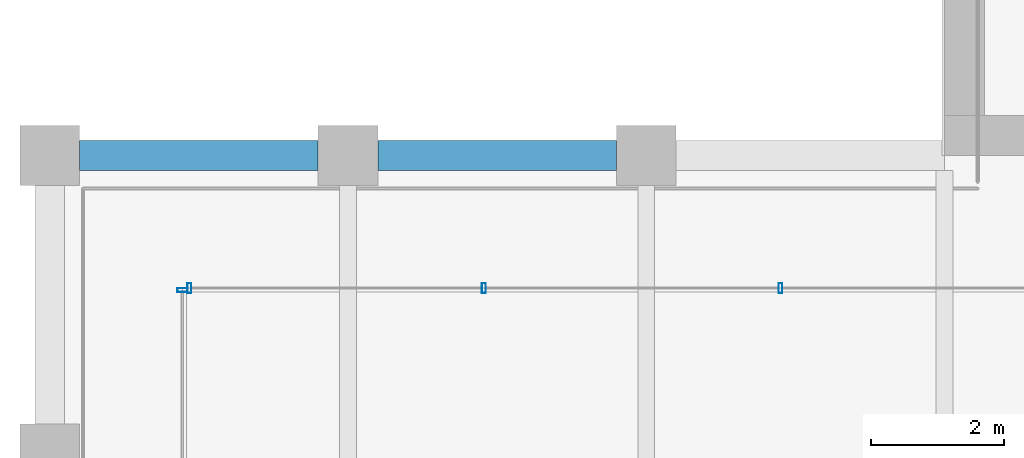
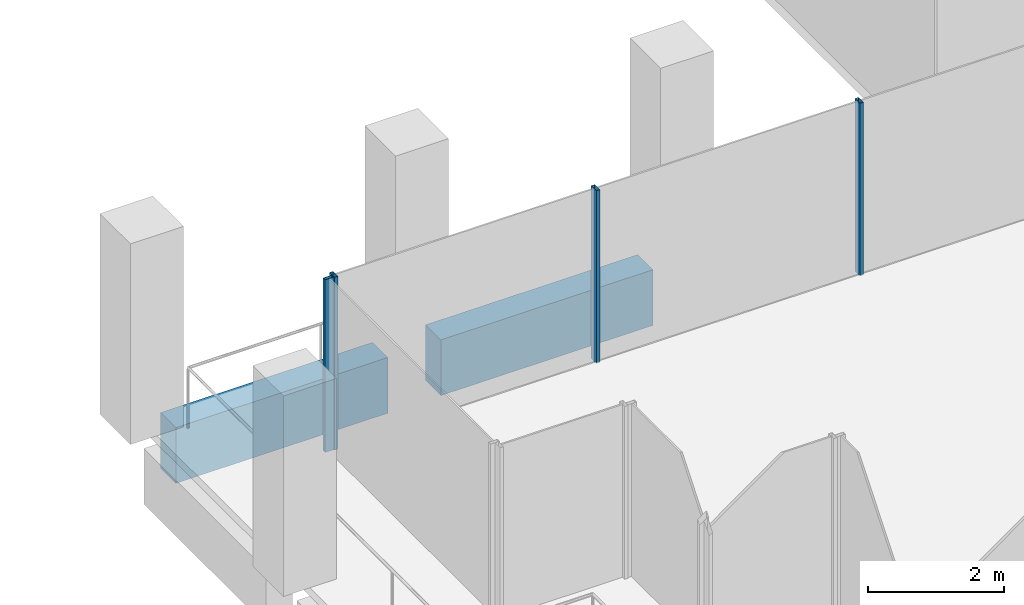
# One storey, part 5 of 40: 4 members, 2 beams, 2 elements without a shape of their own.
"""IFC4 building model written with IfcOpenShell, lengths in metres."""

from ifc_helpers import new_model, si_unit, direction, frame, origin, origin_2d, place, context, subcontext, project, spatial, rectangle, hollow_rectangle, extrude, material, material_profile, profile_set, type_object, element, aggregate, save


model = new_model("IFC4")

# Units and contexts
model_context = context("Model", 3, precision=1e-05, world=origin(), true_north=direction((0.0, 1.0)))
body_context = subcontext(model_context, "Body", "Model", "MODEL_VIEW")
ifc_project = project(units=[si_unit("LENGTHUNIT", "METRE"), si_unit("AREAUNIT", "SQUARE_METRE"), si_unit("VOLUMEUNIT", "CUBIC_METRE"), si_unit("PLANEANGLEUNIT", "RADIAN"), si_unit("MASSUNIT", "GRAM", prefix="KILO")], contexts=[model_context])

# Site, building, storey
site_placement = place(None, origin())
site = spatial("IfcSite", under=ifc_project, at=site_placement, CompositionType="ELEMENT")
building_placement = place(site_placement, origin())
building = spatial("IfcBuilding", under=site, at=building_placement, Name="Altepetl Exchange Towers", CompositionType="ELEMENT")
storey_placement = place(building_placement, frame((0.0, 0.0, 147.39990234375)))
storey = spatial("IfcBuildingStorey", under=building, at=storey_placement, Name="L36", CompositionType="ELEMENT", Elevation=147.39990234375)

# Curtain wall, members
ifc_material_1 = material(Name="Aluminium 6063-T6 glazing", Category="aluminium")
curtain_wall_type = type_object("IfcCurtainWallType", Name="Loggia glazing system", PredefinedType="NOTDEFINED", material=ifc_material_1)
curtain_wall_1_placement = place(storey_placement, origin())
curtain_wall_1 = element("IfcCurtainWall", 1, at=curtain_wall_1_placement, inside=storey, type_object=curtain_wall_type, Name="CW1 run", PredefinedType="NOTDEFINED")
ifc_material_2 = material(Name="Aluminium 6063-T6", Category="aluminium")
ifc_material_profile_1 = material_profile(ifc_material_2, hollow_rectangle(XDim=0.06005859375, YDim=0.14990234375, WallThickness=0.0029296875, at=origin_2d()), Name="Mullion 60x150 aluminium")
ifc_profile_set_1 = profile_set([ifc_material_profile_1], Name="Aluminium 6063-T6")
member_type = type_object("IfcMemberType", Name="Mullion 60x150 aluminium", PredefinedType="MULLION", material=ifc_profile_set_1)
member_1_placement = place(storey_placement, frame((38.02490234375, 38.5, 0.0), z_axis=(0.0, 0.0, 1.0), x_axis=(-1.0, 0.0, 0.0)))
member_1 = element("IfcMember", 2, at=member_1_placement, type_object=member_type, Name="MU1 mullion", PredefinedType="MULLION", context=body_context, shape_type="SweptSolid", body=[
    extrude(hollow_rectangle(XDim=0.06005859375, YDim=0.14990234375, WallThickness=0.0029296875, at=origin_2d()), origin(), (0.0, 0.0, 1.0), 3.10009765625),
])
member_2_placement = place(storey_placement, frame((33.550048828125, 38.5, 0.0), z_axis=(0.0, 0.0, 1.0), x_axis=(-1.0, 0.0, 0.0)))
member_2 = element("IfcMember", 3, at=member_2_placement, type_object=member_type, Name="MU1 mullion", PredefinedType="MULLION", context=body_context, shape_type="SweptSolid", body=[
    extrude(hollow_rectangle(XDim=0.06005859375, YDim=0.14990234375, WallThickness=0.0029296875, at=origin_2d()), origin(), (0.0, 0.0, 1.0), 3.10009765625),
])
member_3_placement = place(storey_placement, frame((29.10498046875, 38.5, 0.0), z_axis=(0.0, 0.0, 1.0), x_axis=(-1.0, 0.0, 0.0)))
member_3 = element("IfcMember", 4, at=member_3_placement, type_object=member_type, Name="MU1 mullion", PredefinedType="MULLION", context=body_context, shape_type="SweptSolid", body=[
    extrude(hollow_rectangle(XDim=0.06005859375, YDim=0.14990234375, WallThickness=0.0029296875, at=origin_2d()), origin(), (0.0, 0.0, 1.0), 3.10009765625),
])
aggregate(curtain_wall_1, [member_1, member_2, member_3])

# Curtain wall, member
curtain_wall_2_placement = place(storey_placement, origin())
curtain_wall_2 = element("IfcCurtainWall", 5, at=curtain_wall_2_placement, inside=storey, type_object=curtain_wall_type, Name="CW1 run", PredefinedType="NOTDEFINED")
member_4_placement = place(storey_placement, frame((29.0, 38.469970703125, 0.0), z_axis=(0.0, 0.0, 1.0), x_axis=(0.0, -1.0, 0.0)))
member_4 = element("IfcMember", 6, at=member_4_placement, type_object=member_type, Name="MU1 mullion", PredefinedType="MULLION", context=body_context, shape_type="SweptSolid", body=[
    extrude(hollow_rectangle(XDim=0.06005859375, YDim=0.14990234375, WallThickness=0.0029296875, at=origin_2d()), origin(), (0.0, 0.0, 1.0), 3.10009765625),
])
aggregate(curtain_wall_2, [member_4])

# Beams
ifc_material_3 = material(Name="Concrete C50/60 precast with tezontle facing", Category="concrete")
ifc_material_profile_2 = material_profile(ifc_material_3, rectangle(XDim=0.449951171875, YDim=1.0, at=origin_2d()), Name="450 x 1000")
ifc_profile_set_2 = profile_set([ifc_material_profile_2], Name="Concrete C50/60 precast with tezontle facing")
beam_type = type_object("IfcBeamType", Name="Spandrel beam 450x1000 tezontle", PredefinedType="SPANDREL", material=ifc_profile_set_2)
for number, where, z_axis, x_axis, name in (
    (7, (35.550048828125, 40.5, -0.64990234375), (-1.0, 0.0, 0.0), (0.0, -1.0, 0.0), "sp:A:L36:034"),
    (8, (31.050048828125, 40.5, -0.64990234375), (-1.0, 0.0, 0.0), (0.0, -1.0, 0.0), "sp:A:L36:035"),
):
    element("IfcBeam", number, at=place(storey_placement, frame(where, z_axis=z_axis, x_axis=x_axis)), inside=storey, type_object=beam_type, Name=name, PredefinedType="SPANDREL", context=body_context, shape_type="SweptSolid", body=[
        extrude(rectangle(XDim=0.449951171875, YDim=1.0, at=origin_2d()), origin(), (0.0, 0.0, 1.0), 3.60009765625),
    ])

save(model, "model.ifc")
